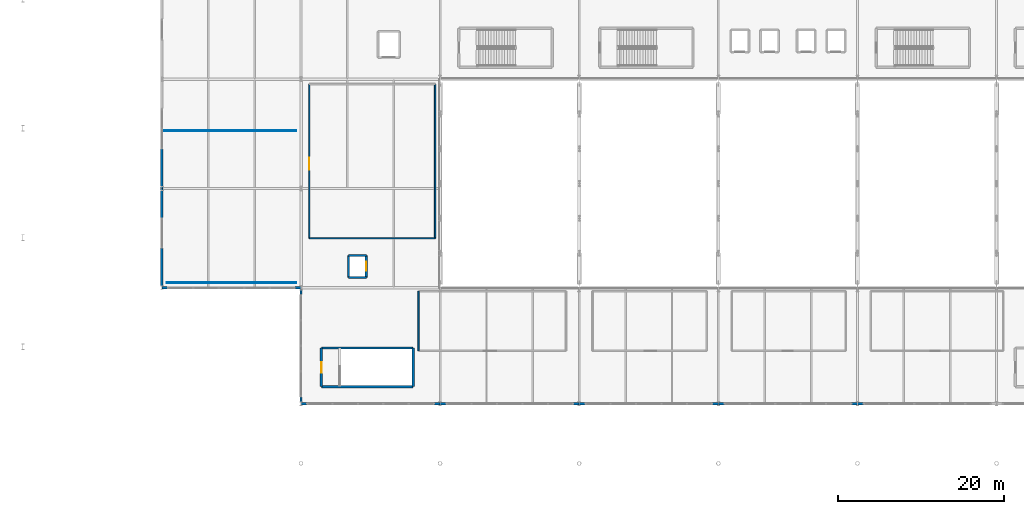
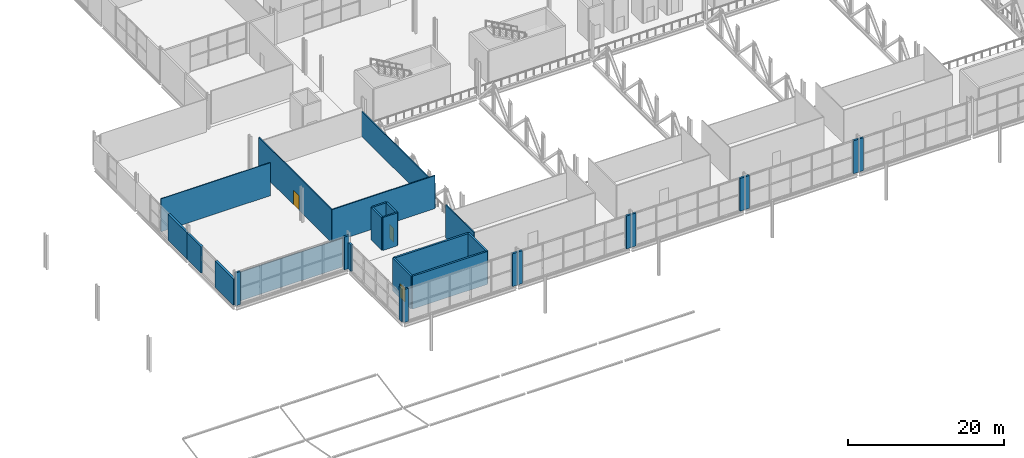
# One storey, part 59 of 84: 30 walls, 3 doors, 3 openings.
"""IFC4 building model written with IfcOpenShell, lengths in metres."""

import ifcopenshell
import ifcopenshell.guid

model = None  # the IFC model being written
_history = None  # IfcOwnerHistory: only IFC2X3 demands one
_inside = {}  # id of a spatial element -> (the spatial element, [elements in it])
_under = {}  # id of a project, library or spatial element -> (it, [spatial elements below it])
_declared = {}  # id of a project -> (the project, [libraries it declares])
_typed = {}  # id of a type object -> (the type object, [elements of that type])
_made_of = {}  # id of a material, layer set ... -> (it, [elements and type objects made of it])


def new_model(schema):
    """Start an empty IFC model of exactly this schema.

    Asked for "IFC4X3", IfcOpenShell would pick the latest addendum, in which some entities
    have other attributes; the version numbers below select the first issue.
    IFC2X3 requires an IfcOwnerHistory on every rooted entity: one is made here for all.
    """
    global model, _history
    if schema == "IFC4X3":
        model = ifcopenshell.file(schema_version=(4, 3, 0, 0))
    else:
        model = ifcopenshell.file(schema=schema)
    _inside.clear()
    _under.clear()
    _declared.clear()
    _typed.clear()
    _made_of.clear()
    _history = None
    if model.schema == "IFC2X3":
        org = make("IfcOrganization", Name="unknown")
        user = make(
            "IfcPersonAndOrganization",
            ThePerson=make("IfcPerson", FamilyName="unknown"),
            TheOrganization=org,
        )
        app = make(
            "IfcApplication",
            ApplicationDeveloper=org,
            Version="unknown",
            ApplicationFullName="unknown",
            ApplicationIdentifier="unknown",
        )
        _history = make(
            "IfcOwnerHistory",
            OwningUser=user,
            OwningApplication=app,
            ChangeAction="ADDED",
            CreationDate=0,
        )
    return model


def make(cls, **values):
    """One entity of the class cls with the attributes given. An attribute that is None is left unset."""
    return model.create_entity(
        cls, **{name: value for name, value in values.items() if value is not None}
    )


def rooted(cls, **values):
    """An entity with a GlobalId (a new one), such as an element, a storey or a relation."""
    return make(cls, GlobalId=ifcopenshell.guid.new(), OwnerHistory=_history, **values)


def si_unit(unit_type, name, prefix=None):
    """IfcSIUnit, for example si_unit("LENGTHUNIT", "METRE", prefix="MILLI")."""
    return make("IfcSIUnit", UnitType=unit_type, Prefix=prefix, Name=name)


def assignment(units):
    """IfcUnitAssignment: the units of a project."""
    return None if units is None else make("IfcUnitAssignment", Units=units)


def point(xyz):
    """IfcCartesianPoint."""
    return None if xyz is None else make("IfcCartesianPoint", Coordinates=xyz)


def direction(xyz):
    """IfcDirection."""
    return None if xyz is None else make("IfcDirection", DirectionRatios=xyz)


def frame(location, z_axis=None, x_axis=None):
    """IfcAxis2Placement3D, a coordinate frame: its origin and axes. An axis left out is left unset."""
    return make(
        "IfcAxis2Placement3D",
        Location=point(location),
        Axis=direction(z_axis),
        RefDirection=direction(x_axis),
    )


def frame_2d(location, x_axis=None):
    """IfcAxis2Placement2D, a coordinate frame in the plane: its origin and x axis."""
    return make(
        "IfcAxis2Placement2D", Location=point(location), RefDirection=direction(x_axis)
    )


def origin():
    """The frame at (0, 0, 0) with its axes left unset."""
    return frame((0.0, 0.0, 0.0))


def place(relative_to, where):
    """IfcLocalPlacement: puts the frame where relative to a parent placement (None: the world)."""
    return make(
        "IfcLocalPlacement", PlacementRelTo=relative_to, RelativePlacement=where
    )


def context(
    kind, dimensions, precision=None, world=None, true_north=None, identifier=None
):
    """IfcGeometricRepresentationContext, for example the 3D "Model" context."""
    return make(
        "IfcGeometricRepresentationContext",
        ContextIdentifier=identifier,
        ContextType=kind,
        CoordinateSpaceDimension=dimensions,
        Precision=precision,
        WorldCoordinateSystem=world,
        TrueNorth=true_north,
    )


def subcontext(parent, identifier, kind, view, scale=None):
    """IfcGeometricRepresentationSubContext, for example "Body" below "Model"."""
    return make(
        "IfcGeometricRepresentationSubContext",
        ContextIdentifier=identifier,
        ContextType=kind,
        ParentContext=parent,
        TargetScale=scale,
        TargetView=view,
    )


def project(units=None, contexts=None):
    """IfcProject with its units and contexts."""
    return rooted(
        "IfcProject",
        Name="project",
        RepresentationContexts=contexts,
        UnitsInContext=assignment(units),
    )


def spatial(cls, under=None, at=None, **own):
    """A site, building, storey or space (cls), placed at a placement, below another one or the project."""
    s = rooted(cls, ObjectPlacement=at, **own)
    if under is not None:
        _under.setdefault(under.id(), (under, []))[1].append(s)
    return s


def profile(cls, at=None, kind="AREA", **sizes):
    """A parametric profile (cls). Its sizes go by their IFC names, for example OverallWidth=200.0."""
    return make(cls, ProfileType=kind, Position=at, **sizes)


def rectangle(**sizes):
    """IfcRectangleProfileDef."""
    return profile("IfcRectangleProfileDef", **sizes)


def extrude(swept, where, along, depth):
    """IfcExtrudedAreaSolid: the profile swept, set in the frame where, extruded along a direction by depth."""
    return make(
        "IfcExtrudedAreaSolid",
        SweptArea=swept,
        Position=where,
        ExtrudedDirection=direction(along),
        Depth=depth,
    )


def shape(context_of_items, identifier, shape_type, items):
    """IfcShapeRepresentation: the items that make up one representation, for example the "Body"."""
    return make(
        "IfcShapeRepresentation",
        ContextOfItems=context_of_items,
        RepresentationIdentifier=identifier,
        RepresentationType=shape_type,
        Items=items,
    )


def material(Name=None, Category=None):
    """IfcMaterial."""
    return make("IfcMaterial", Name=Name, Category=Category)


def layer(
    of_material, thickness, ventilated=None, Name=None, Category=None, Priority=None
):
    """IfcMaterialLayer: one layer of a wall or slab, of a material (None: an air gap)."""
    return make(
        "IfcMaterialLayer",
        Material=of_material,
        LayerThickness=thickness,
        IsVentilated=ventilated,
        Name=Name,
        Category=Category,
        Priority=Priority,
    )


def layer_set(layers, Name=None):
    """IfcMaterialLayerSet."""
    return make("IfcMaterialLayerSet", MaterialLayers=layers, LayerSetName=Name)


def made_of(thing, what):
    """Note that an element or type object is made of a material, layer set ...; save() writes the relation."""
    if what is not None:
        _made_of.setdefault(what.id(), (what, []))[1].append(thing)
    return thing


def type_object(cls, material=None, **own):
    """A type object (cls), such as IfcWallType, which elements share."""
    return made_of(rooted(cls, **own), material)


def element(
    cls,
    number,
    at=None,
    inside=None,
    cuts=None,
    type_object=None,
    material=None,
    context=None,
    identifier="Body",
    shape_type=None,
    held_by="IfcProductDefinitionShape",
    body=None,
    shapes=None,
    **own,
):
    """One element of the class cls, such as IfcWall. Its Tag is "e" and its number.

    at: its placement. inside: the storey or other place that contains it. cuts: it is an
    opening in that element (IfcRelVoidsElement). A single representation is given by context,
    identifier, shape_type and body (its items); several are given by shapes. held_by: the class
    of the entity that holds the representations. save() writes the other relations.
    """
    e = rooted(cls, Tag="e%d" % number, ObjectPlacement=at, **own)
    if body is not None:
        shapes = [shape(context, identifier, shape_type, body)]
    if shapes is not None:
        e.Representation = make(held_by, Representations=shapes)
    if inside is not None:
        _inside.setdefault(inside.id(), (inside, []))[1].append(e)
    if cuts is not None:
        rooted(
            "IfcRelVoidsElement", RelatingBuildingElement=cuts, RelatedOpeningElement=e
        )
    if type_object is not None:
        _typed.setdefault(type_object.id(), (type_object, []))[1].append(e)
    return made_of(e, material)


def fill(opening, filler):
    """IfcRelFillsElement: the door or window that sits in an opening."""
    return rooted(
        "IfcRelFillsElement",
        RelatingOpeningElement=opening,
        RelatedBuildingElement=filler,
    )


def aggregate(whole, parts):
    """IfcRelAggregates: a whole, such as a stair, and the parts it consists of."""
    return rooted("IfcRelAggregates", RelatingObject=whole, RelatedObjects=parts)


def save(model, path):
    """Write the relations noted so far, then the file.

    IfcRelAggregates (storeys below a building ...), IfcRelContainedInSpatialStructure (elements
    in a storey), IfcRelDefinesByType, IfcRelAssociatesMaterial and IfcRelDeclares: one each for
    every whole, place, type object, material and project.
    """
    for whole, parts in _under.values():
        aggregate(whole, parts)
    for where, things in _inside.values():
        rooted(
            "IfcRelContainedInSpatialStructure",
            RelatedElements=things,
            RelatingStructure=where,
        )
    for kind, things in _typed.values():
        rooted("IfcRelDefinesByType", RelatedObjects=things, RelatingType=kind)
    for what, things in _made_of.values():
        rooted("IfcRelAssociatesMaterial", RelatedObjects=things, RelatingMaterial=what)
    for by, libraries in _declared.values():
        rooted("IfcRelDeclares", RelatingContext=by, RelatedDefinitions=libraries)
    model.write(path)


model = new_model("IFC4")

# Units and contexts
model_context = context("Model", 3, precision=1e-05, world=origin(), true_north=direction((0.0, 1.0)))
body_context = subcontext(model_context, "Body", "Model", "MODEL_VIEW")
ifc_project = project(units=[si_unit("LENGTHUNIT", "METRE"), si_unit("AREAUNIT", "SQUARE_METRE"), si_unit("VOLUMEUNIT", "CUBIC_METRE"), si_unit("PLANEANGLEUNIT", "RADIAN"), si_unit("MASSUNIT", "GRAM", prefix="KILO")], contexts=[model_context])

# Site, building, storey
site_placement = place(None, origin())
site = spatial("IfcSite", under=ifc_project, at=site_placement, CompositionType="ELEMENT")
building_placement = place(site_placement, origin())
building = spatial("IfcBuilding", under=site, at=building_placement, Name="Kimbaza Rail Terminus", CompositionType="ELEMENT")
storey_placement = place(building_placement, frame((0.0, 0.0, 5.39990234375)))
storey = spatial("IfcBuildingStorey", under=building, at=storey_placement, Name="L01", CompositionType="ELEMENT", Elevation=5.39990234375)

# Walls
ifc_material_1 = material(Name="Precast concrete C40/50", Category="concrete")
ifc_layer_1 = layer(ifc_material_1, 0.280029296875)
ifc_layer_set_1 = layer_set([ifc_layer_1], Name="Precast concrete C40/50")
wall_type_1 = type_object("IfcWallType", Name="ARC-WL-EXT280", PredefinedType="STANDARD", material=ifc_layer_set_1)
for number, where, z_axis, x_axis, name in (
    (1, (55.199951171875, 41.0, 0.0), (0.0, 0.0, 1.0), (1.0, 0.0, 0.0), "South Concourse Upper Glazing L01 Bay 1 Corner Pier A"),
    (2, (71.280029296875, 41.0, 0.0), (0.0, 0.0, 1.0), (1.0, 0.0, 0.0), "South Concourse Upper Glazing L01 Bay 1 Corner Pier B"),
    (3, (72.0, 41.0, 0.0), (0.0, 0.0, 1.0), (1.0, 0.0, 0.0), "South Concourse Upper Glazing L01 Bay 2 Corner Pier A"),
    (4, (88.080078125, 41.0, 0.0), (0.0, 0.0, 1.0), (1.0, 0.0, 0.0), "South Concourse Upper Glazing L01 Bay 2 Corner Pier B"),
    (5, (88.800048828125, 41.0, 0.0), (0.0, 0.0, 1.0), (1.0, 0.0, 0.0), "South Concourse Upper Glazing L01 Bay 3 Corner Pier A"),
):
    element("IfcWall", number, at=place(storey_placement, frame(where, z_axis=z_axis, x_axis=x_axis)), inside=storey, type_object=wall_type_1, Name=name, PredefinedType="STANDARD", context=body_context, shape_type="SweptSolid", body=[
        extrude(rectangle(XDim=0.719970703125, YDim=0.280029296875, at=frame_2d((0.35986328125, 0.0))), origin(), (0.0, 0.0, 1.0), 5.14013671875),
    ])
wall_1_placement = place(storey_placement, frame((104.8798828125, 41.0, 0.0), z_axis=(0.0, 0.0, 1.0), x_axis=(1.0, 0.0, 0.0)))
element("IfcWall", 6, at=wall_1_placement, inside=storey, type_object=wall_type_1, Name="South Concourse Upper Glazing L01 Bay 3 Corner Pier B", PredefinedType="STANDARD", context=body_context, shape_type="SweptSolid", body=[
    extrude(rectangle(XDim=0.72021484375, YDim=0.280029296875, at=frame_2d((0.360107421875, 0.0))), origin(), (0.0, 0.0, 1.0), 5.14013671875),
])
for number, where, z_axis, x_axis, name in (
    (7, (105.60009765625, 41.0, 0.0), (0.0, 0.0, 1.0), (1.0, 0.0, 0.0), "South Concourse Upper Glazing L01 Bay 4 Corner Pier A"),
    (8, (121.679931640625, 41.0, 0.0), (0.0, 0.0, 1.0), (1.0, 0.0, 0.0), "South Concourse Upper Glazing L01 Bay 4 Corner Pier B"),
):
    element("IfcWall", number, at=place(storey_placement, frame(where, z_axis=z_axis, x_axis=x_axis)), inside=storey, type_object=wall_type_1, Name=name, PredefinedType="STANDARD", context=body_context, shape_type="SweptSolid", body=[
        extrude(rectangle(XDim=0.719970703125, YDim=0.280029296875, at=frame_2d((0.35986328125, 0.0))), origin(), (0.0, 0.0, 1.0), 5.14013671875),
    ])
for number, where, z_axis, x_axis, name in (
    (9, (122.39990234375, 41.0, 0.0), (0.0, 0.0, 1.0), (1.0, 0.0, 0.0), "South Concourse Upper Glazing L01 Bay 5 Corner Pier A"),
    (10, (55.199951171875, 41.139892578125, 0.0), (0.0, 0.0, 1.0), (0.0, 1.0, 0.0), "Concourse W Return Curtain Wall L01 Corner Pier A"),
):
    element("IfcWall", number, at=place(storey_placement, frame(where, z_axis=z_axis, x_axis=x_axis)), inside=storey, type_object=wall_type_1, Name=name, PredefinedType="STANDARD", context=body_context, shape_type="SweptSolid", body=[
        extrude(rectangle(XDim=0.72021484375, YDim=0.280029296875, at=frame_2d((0.360107421875, 0.0))), origin(), (0.0, 0.0, 1.0), 5.14013671875),
    ])
wall_2_placement = place(storey_placement, frame((55.199951171875, 54.139892578125, 0.0), z_axis=(0.0, 0.0, 1.0), x_axis=(0.0, 1.0, 0.0)))
element("IfcWall", 11, at=wall_2_placement, inside=storey, type_object=wall_type_1, Name="Concourse W Return Curtain Wall L01 Corner Pier B", PredefinedType="STANDARD", context=body_context, shape_type="SweptSolid", body=[
    extrude(rectangle(XDim=0.72021484375, YDim=0.280029296875, at=frame_2d((0.360107421875, 0.0))), origin(), (0.0, 0.0, 1.0), 4.125),
])
wall_3_placement = place(storey_placement, frame((38.39990234375, 55.0, 0.0), z_axis=(0.0, 0.0, 1.0), x_axis=(1.0, 0.0, 0.0)))
element("IfcWall", 12, at=wall_3_placement, inside=storey, type_object=wall_type_1, Name="Ticket Hall Wing W Curtain Wall L01.1 Corner Pier A", PredefinedType="STANDARD", context=body_context, shape_type="SweptSolid", body=[
    extrude(rectangle(XDim=0.72021484375, YDim=0.280029296875, at=frame_2d((0.360107421875, 0.0))), origin(), (0.0, 0.0, 1.0), 5.14013671875),
])
wall_4_placement = place(storey_placement, frame((54.47998046875, 55.0, 0.0), z_axis=(0.0, 0.0, 1.0), x_axis=(1.0, 0.0, 0.0)))
element("IfcWall", 13, at=wall_4_placement, inside=storey, type_object=wall_type_1, Name="Ticket Hall Wing W Curtain Wall L01.1 Corner Pier B", PredefinedType="STANDARD", context=body_context, shape_type="SweptSolid", body=[
    extrude(rectangle(XDim=0.719970703125, YDim=0.280029296875, at=frame_2d((0.35986328125, 0.0))), origin(), (0.0, 0.0, 1.0), 5.14013671875),
])
ifc_material_2 = material(Name="Precast concrete C40/50", Category="concrete")
ifc_layer_2 = layer(ifc_material_2, 0.320068359375)
ifc_layer_set_2 = layer_set([ifc_layer_2], Name="Precast concrete C40/50")
wall_type_2 = type_object("IfcWallType", Name="ARC-WL-EXT320", PredefinedType="STANDARD", material=ifc_layer_set_2)
wall_5_placement = place(storey_placement, frame((38.39990234375, 55.139892578125, 0.0), z_axis=(0.0, 0.0, 1.0), x_axis=(0.0, 1.0, 0.0)))
element("IfcWall", 14, at=wall_5_placement, inside=storey, type_object=wall_type_2, Name="Ticket Hall W Flank Wall L01.1", PredefinedType="STANDARD", context=body_context, shape_type="SweptSolid", body=[
    extrude(rectangle(XDim=4.66015625, YDim=0.320068359375, at=frame_2d((2.330078125, 0.0))), origin(), (0.0, 0.0, 1.0), 4.125),
])
wall_6_placement = place(storey_placement, frame((38.39990234375, 63.39990234375, 0.0), z_axis=(0.0, 0.0, 1.0), x_axis=(0.0, 1.0, 0.0)))
element("IfcWall", 15, at=wall_6_placement, inside=storey, type_object=wall_type_2, Name="Ticket Hall W Pier L01.1", PredefinedType="STANDARD", context=body_context, shape_type="SweptSolid", body=[
    extrude(rectangle(XDim=3.60009765625, YDim=0.320068359375, at=frame_2d((1.800048828125, 0.0))), origin(), (0.0, 0.0, 1.0), 4.125),
])
wall_7_placement = place(storey_placement, frame((38.39990234375, 67.0, 0.0), z_axis=(0.0, 0.0, 1.0), x_axis=(0.0, 1.0, 0.0)))
element("IfcWall", 16, at=wall_7_placement, inside=storey, type_object=wall_type_2, Name="Ticket Hall W Flank Wall L01.2", PredefinedType="STANDARD", context=body_context, shape_type="SweptSolid", body=[
    extrude(rectangle(XDim=4.800048828125, YDim=0.320068359375, at=frame_2d((2.39990234375, 0.0))), origin(), (0.0, 0.0, 1.0), 4.125),
])
ifc_material_3 = material(Name="Moisture-resistant stud wall", Category="gypsum")
ifc_layer_3 = layer(ifc_material_3, 0.1201171875)
ifc_layer_set_3 = layer_set([ifc_layer_3], Name="Moisture-resistant stud wall")
wall_type_3 = type_object("IfcWallType", Name="ARC-WL-PART120", PredefinedType="PARTITIONING", material=ifc_layer_set_3)
wall_8_placement = place(storey_placement, frame((39.0, 55.60009765625, 0.0), z_axis=(0.0, 0.0, 1.0), x_axis=(1.0, 0.0, 0.0)))
element("IfcWall", 17, at=wall_8_placement, inside=storey, type_object=wall_type_3, Name="West Departure Security Screening Partition (south)", PredefinedType="PARTITIONING", context=body_context, shape_type="SweptSolid", body=[
    extrude(rectangle(XDim=15.60009765625, YDim=0.1201171875, at=frame_2d((7.800048828125, 0.0))), origin(), (0.0, 0.0, 1.0), 4.485107421875),
])
wall_9_placement = place(storey_placement, frame((54.60009765625, 74.0, 0.0), z_axis=(0.0, 0.0, 1.0), x_axis=(-1.0, 0.0, 0.0)))
element("IfcWall", 18, at=wall_9_placement, inside=storey, type_object=wall_type_3, Name="West Departure Security Screening Partition (north)", PredefinedType="PARTITIONING", context=body_context, shape_type="SweptSolid", body=[
    extrude(rectangle(XDim=16.18017578125, YDim=0.1201171875, at=frame_2d((8.090087890625, 0.0))), origin(), (0.0, 0.0, 1.0), 5.16015625),
])
ifc_material_4 = material(Name="Acoustic gypsum stud partition", Category="gypsum")
ifc_layer_4 = layer(ifc_material_4, 0.159912109375)
ifc_layer_set_4 = layer_set([ifc_layer_4], Name="Acoustic gypsum stud partition")
wall_type_4 = type_object("IfcWallType", Name="ARC-WL-PART160", PredefinedType="PARTITIONING", material=ifc_layer_set_4)
wall_10_placement = place(storey_placement, frame((69.39990234375, 54.60009765625, 0.0), z_axis=(0.0, 0.0, 1.0), x_axis=(0.0, -1.0, 0.0)))
element("IfcWall", 19, at=wall_10_placement, inside=storey, type_object=wall_type_4, Name="Rail Travel Bookshop and Press Partition (west)", PredefinedType="PARTITIONING", context=body_context, shape_type="SweptSolid", body=[
    extrude(rectangle(XDim=7.2001953125, YDim=0.159912109375, at=frame_2d((3.60009765625, 0.0))), origin(), (0.0, 0.0, 1.0), 5.16015625),
])
wall_11_placement = place(storey_placement, frame((56.199951171875, 61.0, 0.0), z_axis=(0.0, 0.0, 1.0), x_axis=(1.0, 0.0, 0.0)))
element("IfcWall", 20, at=wall_11_placement, inside=storey, type_object=wall_type_4, Name="West Mezzanine Left-Luggage Counter Partition (south)", PredefinedType="PARTITIONING", context=body_context, shape_type="SweptSolid", body=[
    extrude(rectangle(XDim=15.199951171875, YDim=0.159912109375, at=frame_2d((7.60009765625, 0.0))), origin(), (0.0, 0.0, 1.0), 5.16015625),
])
wall_12_placement = place(storey_placement, frame((71.39990234375, 61.0, 0.0), z_axis=(0.0, 0.0, 1.0), x_axis=(0.0, 1.0, 0.0)))
element("IfcWall", 21, at=wall_12_placement, inside=storey, type_object=wall_type_4, Name="West Mezzanine Left-Luggage Counter Partition (east)", PredefinedType="PARTITIONING", context=body_context, shape_type="SweptSolid", body=[
    extrude(rectangle(XDim=18.60009765625, YDim=0.159912109375, at=frame_2d((9.300048828125, 0.0))), origin(), (0.0, 0.0, 1.0), 3.9150390625),
])

# Wall, opening, door
wall_13_placement = place(storey_placement, frame((56.199951171875, 79.60009765625, 0.0), z_axis=(0.0, 0.0, 1.0), x_axis=(0.0, -1.0, 0.0)))
wall_13 = element("IfcWall", 22, at=wall_13_placement, inside=storey, type_object=wall_type_4, Name="West Mezzanine Left-Luggage Counter Partition (west)", PredefinedType="PARTITIONING", context=body_context, shape_type="SweptSolid", body=[
    extrude(rectangle(XDim=18.60009765625, YDim=0.159912109375, at=frame_2d((9.300048828125, 0.0))), origin(), (0.0, 0.0, 1.0), 5.16015625),
])
opening_1_placement = place(wall_13_placement, frame((10.324951171875, 0.0, 0.0), z_axis=(0.0, 0.0, 1.0), x_axis=(-1.0, 0.0, 0.0)))
opening_1 = element("IfcOpeningElement", 23, at=opening_1_placement, cuts=wall_13, Name="Opening ID-07", PredefinedType="OPENING", context=body_context, shape_type="SweptSolid", body=[
    extrude(rectangle(XDim=1.449951171875, YDim=2.25, at=frame_2d((0.72509765625, 1.125))), frame((0.0, 0.08984375, 0.0), z_axis=(0.0, -1.0, 0.0), x_axis=(1.0, 0.0, 0.0)), (0.0, 0.0, 1.0), 0.179931640625),
])
ifc_material_5 = material(Name="Retail shopfront glazed entrance door", Category="aluminium")
door_type_1 = type_object("IfcDoorType", Name="ARC-DR-ID145", OperationType="NOTDEFINED", PredefinedType="DOOR", material=ifc_material_5)
door_1_placement = place(opening_1_placement, origin())
door_1 = element("IfcDoor", 24, at=door_1_placement, inside=storey, type_object=door_type_1, Name="IDR-SPC-L01-WBAG", OperationType="SINGLE_SWING_RIGHT", OverallHeight=2.25, OverallWidth=1.449951171875, PredefinedType="DOOR", context=body_context, shape_type="SweptSolid", body=[
    extrude(rectangle(XDim=1.449951171875, YDim=2.25, at=frame_2d((0.72509765625, 1.125))), frame((0.0, 0.02490234375, 0.0), z_axis=(0.0, -1.0, 0.0), x_axis=(1.0, 0.0, 0.0)), (0.0, 0.0, 1.0), 0.050048828125),
])
fill(opening_1, door_1)

# Wall
ifc_material_6 = material(Name="Concrete C40/50", Category="concrete")
ifc_layer_5 = layer(ifc_material_6, 0.25)
ifc_layer_set_5 = layer_set([ifc_layer_5], Name="Concrete C40/50")
wall_type_5 = type_object("IfcWallType", Name="STR-WL-CORE250", PredefinedType="SHEAR", material=ifc_layer_set_5)
wall_14_placement = place(storey_placement, frame((60.919921875, 56.27001953125, 0.0), z_axis=(0.0, 0.0, 1.0), x_axis=(1.0, 0.0, 0.0)))
element("IfcWall", 25, at=wall_14_placement, inside=storey, type_object=wall_type_5, Name="Lift Shaft Wall LP-05 L01-1", PredefinedType="SHEAR", context=body_context, shape_type="SweptSolid", body=[
    extrude(rectangle(XDim=2.16015625, YDim=0.25, at=frame_2d((1.080078125, 0.0))), origin(), (0.0, 0.0, 1.0), 5.14013671875),
])

# Wall, opening, door
wall_15_placement = place(storey_placement, frame((63.080078125, 56.27001953125, 0.0), z_axis=(0.0, 0.0, 1.0), x_axis=(0.0, 1.0, 0.0)))
wall_15 = element("IfcWall", 26, at=wall_15_placement, inside=storey, type_object=wall_type_5, Name="Lift Shaft Wall LP-05 L01-2", PredefinedType="SHEAR", context=body_context, shape_type="SweptSolid", body=[
    extrude(rectangle(XDim=2.659912109375, YDim=0.25, at=frame_2d((1.330078125, 0.0))), origin(), (0.0, 0.0, 1.0), 5.14013671875),
])
opening_2_placement = place(wall_15_placement, frame((0.780029296875, 0.0, 0.0)))
opening_2 = element("IfcOpeningElement", 27, at=opening_2_placement, cuts=wall_15, Name="Opening LD-01", PredefinedType="OPENING", context=body_context, shape_type="SweptSolid", body=[
    extrude(rectangle(XDim=1.10009765625, YDim=2.199951171875, at=frame_2d((0.550048828125, 1.10009765625))), frame((0.0, 0.135009765625, 0.0), z_axis=(0.0, -1.0, 0.0), x_axis=(1.0, 0.0, 0.0)), (0.0, 0.0, 1.0), 0.27001953125),
])
ifc_material_7 = material(Name="Brushed stainless steel sliding landing door", Category="steel")
door_type_2 = type_object("IfcDoorType", Name="ARC-DR-LD110", OperationType="NOTDEFINED", PredefinedType="DOOR", material=ifc_material_7)
door_2_placement = place(opening_2_placement, origin())
door_2 = element("IfcDoor", 28, at=door_2_placement, inside=storey, type_object=door_type_2, Name="LDR-LP-05-L01", OperationType="SLIDING_TO_LEFT", OverallHeight=2.199951171875, OverallWidth=1.10009765625, PredefinedType="DOOR", context=body_context, shape_type="SweptSolid", body=[
    extrude(rectangle(XDim=1.10009765625, YDim=2.199951171875, at=frame_2d((0.550048828125, 1.10009765625))), frame((0.0, 0.02490234375, 0.0), z_axis=(0.0, -1.0, 0.0), x_axis=(1.0, 0.0, 0.0)), (0.0, 0.0, 1.0), 0.050048828125),
])
fill(opening_2, door_2)

# Walls
wall_16_placement = place(storey_placement, frame((63.080078125, 58.929931640625, 0.0), z_axis=(0.0, 0.0, 1.0), x_axis=(-1.0, 0.0, 0.0)))
element("IfcWall", 29, at=wall_16_placement, inside=storey, type_object=wall_type_5, Name="Lift Shaft Wall LP-05 L01-3", PredefinedType="SHEAR", context=body_context, shape_type="SweptSolid", body=[
    extrude(rectangle(XDim=2.16015625, YDim=0.25, at=frame_2d((1.080078125, 0.0))), origin(), (0.0, 0.0, 1.0), 5.14013671875),
])
wall_17_placement = place(storey_placement, frame((60.919921875, 58.929931640625, 0.0), z_axis=(0.0, 0.0, 1.0), x_axis=(0.0, -1.0, 0.0)))
element("IfcWall", 30, at=wall_17_placement, inside=storey, type_object=wall_type_5, Name="Lift Shaft Wall LP-05 L01-4", PredefinedType="SHEAR", context=body_context, shape_type="SweptSolid", body=[
    extrude(rectangle(XDim=2.659912109375, YDim=0.25, at=frame_2d((1.330078125, 0.0))), origin(), (0.0, 0.0, 1.0), 5.14013671875),
])
ifc_material_8 = material(Name="Concrete C40/50", Category="concrete")
ifc_layer_6 = layer(ifc_material_8, 0.280029296875)
ifc_layer_set_6 = layer_set([ifc_layer_6], Name="Concrete C40/50")
wall_type_6 = type_object("IfcWallType", Name="STR-WL-CORE280", PredefinedType="SHEAR", material=ifc_layer_set_6)
wall_18_placement = place(storey_placement, frame((57.659912109375, 43.06005859375, 0.0), z_axis=(0.0, 0.0, 1.0), x_axis=(1.0, 0.0, 0.0)))
element("IfcWall", 31, at=wall_18_placement, inside=storey, type_object=wall_type_6, Name="South Metro Concourse West Stair Shaft Wall L01-1", PredefinedType="SHEAR", context=body_context, shape_type="SweptSolid", body=[
    extrude(rectangle(XDim=11.080078125, YDim=0.280029296875, at=frame_2d((5.5400390625, 0.0))), origin(), (0.0, 0.0, 1.0), 5.14013671875),
])
wall_19_placement = place(storey_placement, frame((68.739990234375, 43.06005859375, 0.0), z_axis=(0.0, 0.0, 1.0), x_axis=(0.0, 1.0, 0.0)))
element("IfcWall", 32, at=wall_19_placement, inside=storey, type_object=wall_type_6, Name="South Metro Concourse West Stair Shaft Wall L01-2", PredefinedType="SHEAR", context=body_context, shape_type="SweptSolid", body=[
    extrude(rectangle(XDim=4.679931640625, YDim=0.280029296875, at=frame_2d((2.33984375, 0.0))), origin(), (0.0, 0.0, 1.0), 5.14013671875),
])
wall_20_placement = place(storey_placement, frame((68.739990234375, 47.739990234375, 0.0), z_axis=(0.0, 0.0, 1.0), x_axis=(-1.0, 0.0, 0.0)))
element("IfcWall", 33, at=wall_20_placement, inside=storey, type_object=wall_type_6, Name="South Metro Concourse West Stair Shaft Wall L01-3", PredefinedType="SHEAR", context=body_context, shape_type="SweptSolid", body=[
    extrude(rectangle(XDim=11.080078125, YDim=0.280029296875, at=frame_2d((5.5400390625, 0.0))), origin(), (0.0, 0.0, 1.0), 5.14013671875),
])

# Wall, opening, door
wall_21_placement = place(storey_placement, frame((57.659912109375, 47.739990234375, 0.0), z_axis=(0.0, 0.0, 1.0), x_axis=(0.0, -1.0, 0.0)))
wall_21 = element("IfcWall", 34, at=wall_21_placement, inside=storey, type_object=wall_type_6, Name="South Metro Concourse West Stair Shaft Wall L01-4", PredefinedType="SHEAR", context=body_context, shape_type="SweptSolid", body=[
    extrude(rectangle(XDim=4.679931640625, YDim=0.280029296875, at=frame_2d((2.33984375, 0.0))), origin(), (0.0, 0.0, 1.0), 5.14013671875),
])
opening_3_placement = place(wall_21_placement, frame((1.715087890625, 0.0, 0.0)))
opening_3 = element("IfcOpeningElement", 35, at=opening_3_placement, cuts=wall_21, Name="Opening FD-02", PredefinedType="OPENING", context=body_context, shape_type="SweptSolid", body=[
    extrude(rectangle(XDim=1.25, YDim=2.199951171875, at=frame_2d((0.625, 1.10009765625))), frame((0.0, 0.14990234375, 0.0), z_axis=(0.0, -1.0, 0.0), x_axis=(1.0, 0.0, 0.0)), (0.0, 0.0, 1.0), 0.300048828125),
])
ifc_material_9 = material(Name="Galvanised painted steel fire stair door", Category="steel")
door_type_3 = type_object("IfcDoorType", Name="ARC-DR-FD125", OperationType="NOTDEFINED", PredefinedType="DOOR", material=ifc_material_9)
door_3_placement = place(opening_3_placement, origin())
door_3 = element("IfcDoor", 36, at=door_3_placement, inside=storey, type_object=door_type_3, Name="SDR-ST-S1-L01", OperationType="SINGLE_SWING_LEFT", OverallHeight=2.199951171875, OverallWidth=1.25, PredefinedType="DOOR", context=body_context, shape_type="SweptSolid", body=[
    extrude(rectangle(XDim=1.25, YDim=2.199951171875, at=frame_2d((0.625, 1.10009765625))), frame((0.0, 0.02490234375, 0.0), z_axis=(0.0, -1.0, 0.0), x_axis=(1.0, 0.0, 0.0)), (0.0, 0.0, 1.0), 0.050048828125),
])
fill(opening_3, door_3)

save(model, "model.ifc")
